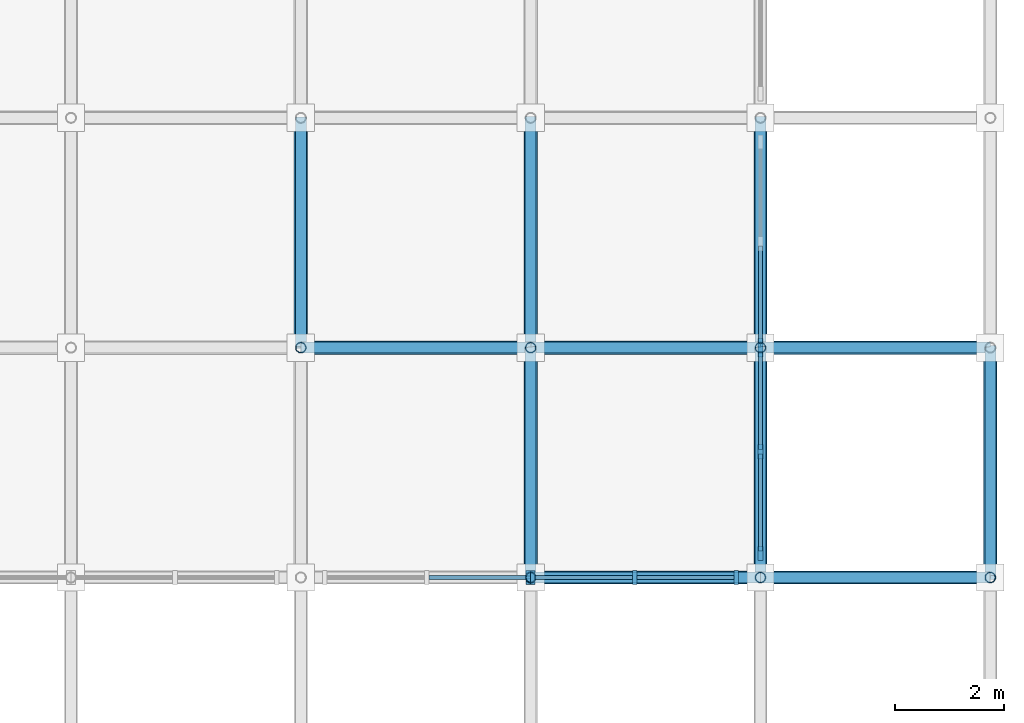
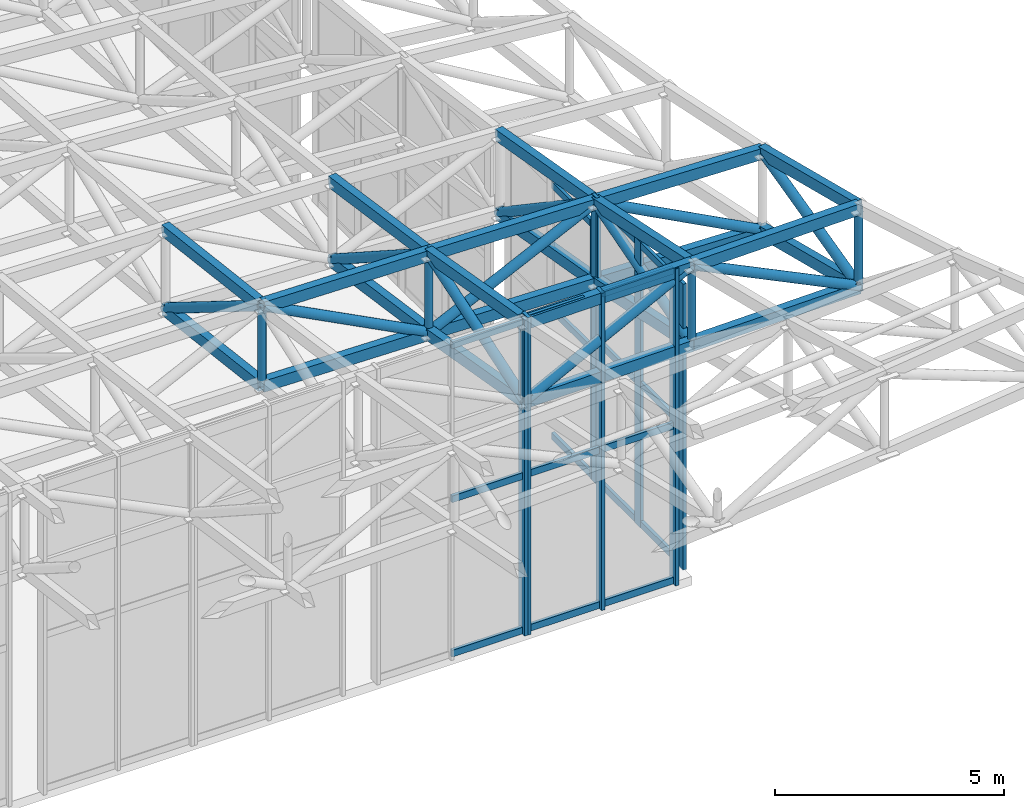
# One storey, part 35 of 123: 65 members, 4 elements without a shape of their own.
"""IFC4 building model written with IfcOpenShell, lengths in metres."""

from ifc_helpers import new_model, si_unit, direction, frame, origin, origin_2d, place, context, subcontext, project, spatial, rectangle, hollow_rectangle, hollow_circle, extrude, material, material_profile, profile_set, type_object, element, aggregate, save


model = new_model("IFC4")

# Units and contexts
model_context = context("Model", 3, precision=1e-05, world=origin(), true_north=direction((0.0, 1.0)))
body_context = subcontext(model_context, "Body", "Model", "MODEL_VIEW")
ifc_project = project(units=[si_unit("LENGTHUNIT", "METRE"), si_unit("AREAUNIT", "SQUARE_METRE"), si_unit("VOLUMEUNIT", "CUBIC_METRE"), si_unit("PLANEANGLEUNIT", "RADIAN"), si_unit("MASSUNIT", "GRAM", prefix="KILO")], contexts=[model_context])

# Site, building, storey
site_placement = place(None, origin())
site = spatial("IfcSite", under=ifc_project, at=site_placement, CompositionType="ELEMENT")
building_placement = place(site_placement, origin())
building = spatial("IfcBuilding", under=site, at=building_placement, Name="Cumbredor Promenade Congress Hotel", CompositionType="ELEMENT")
storey_placement = place(building_placement, frame((0.0, 0.0, 11.760009765625)))
storey = spatial("IfcBuildingStorey", under=building, at=storey_placement, Name="L03", CompositionType="ELEMENT", Elevation=11.760009765625)

# Members
ifc_material_1 = material(Name="Steel ASTM A500 Grade C", Category="steel")
ifc_material_profile_1 = material_profile(ifc_material_1, hollow_rectangle(XDim=0.199951171875, YDim=0.300048828125, WallThickness=0.012451171875, at=origin_2d()), Name="HSS 300x200x12.5")
ifc_profile_set_1 = profile_set([ifc_material_profile_1], Name="Steel ASTM A500 Grade C")
member_type_1 = type_object("IfcMemberType", Name="Ballroom Roof Space Frame Chord", PredefinedType="CHORD", material=ifc_profile_set_1)
for number, where, z_axis, x_axis, name in (
    (1, (180.60009765625, 8.39990234375, 8.253173828125), (0.999934438125, 0.0, 0.011450740238), (0.0, 1.0, 0.0), "Grand Ballroom Pavilion X Top Chord 11.3"),
    (2, (180.60009765625, 8.39990234375, 6.153076171875), (0.999934438125, 0.0, 0.011450740238), (0.0, 1.0, 0.0), "Grand Ballroom Pavilion X Bottom Chord 11.3"),
):
    element("IfcMember", number, at=place(storey_placement, frame(where, z_axis=z_axis, x_axis=x_axis)), inside=storey, type_object=member_type_1, Name=name, PredefinedType="CHORD", context=body_context, shape_type="SweptSolid", body=[
        extrude(hollow_rectangle(XDim=0.199951171875, YDim=0.300048828125, WallThickness=0.012451171875, at=origin_2d()), origin(), (0.0, 0.0, 1.0), 4.2001953125),
    ])
for number, where, z_axis, x_axis, name in (
    (3, (184.800048828125, 8.39990234375, 8.30126953125), (0.99988929444, 0.0, 0.014879477962), (0.0, 1.0, 0.0), "Grand Ballroom Pavilion X Top Chord 12.3"),
    (4, (184.800048828125, 8.39990234375, 6.201171875), (0.999888428009, 0.0, 0.014937587979), (0.0, 1.0, 0.0), "Grand Ballroom Pavilion X Bottom Chord 12.3"),
):
    element("IfcMember", number, at=place(storey_placement, frame(where, z_axis=z_axis, x_axis=x_axis)), inside=storey, type_object=member_type_1, Name=name, PredefinedType="CHORD", context=body_context, shape_type="SweptSolid", body=[
        extrude(hollow_rectangle(XDim=0.199951171875, YDim=0.300048828125, WallThickness=0.012451171875, at=origin_2d()), origin(), (0.0, 0.0, 1.0), 4.200439453125),
    ])
for number, where, z_axis, x_axis, name in (
    (5, (176.39990234375, 12.60009765625, 7.602294921875), (0.999827058819, 0.0, -0.018597108743), (0.0, 1.0, 0.0), "Grand Ballroom Pavilion X Top Chord 10.4"),
    (6, (176.39990234375, 12.60009765625, 5.502197265625), (0.999828137734, 0.0, -0.018539012784), (0.0, 1.0, 0.0), "Grand Ballroom Pavilion X Bottom Chord 10.4"),
):
    element("IfcMember", number, at=place(storey_placement, frame(where, z_axis=z_axis, x_axis=x_axis)), inside=storey, type_object=member_type_1, Name=name, PredefinedType="CHORD", context=body_context, shape_type="SweptSolid", body=[
        extrude(hollow_rectangle(XDim=0.199951171875, YDim=0.300048828125, WallThickness=0.012451171875, at=origin_2d()), origin(), (0.0, 0.0, 1.0), 4.200927734375),
    ])
for number, where, z_axis, x_axis, name in (
    (7, (180.60009765625, 12.60009765625, 7.524169921875), (0.999713338557, 0.0, -0.023942445823), (0.0, 1.0, 0.0), "Grand Ballroom Pavilion X Top Chord 11.4"),
    (8, (180.60009765625, 12.60009765625, 5.42431640625), (0.999711945909, 0.0, -0.024000525121), (0.0, 1.0, 0.0), "Grand Ballroom Pavilion X Bottom Chord 11.4"),
):
    element("IfcMember", number, at=place(storey_placement, frame(where, z_axis=z_axis, x_axis=x_axis)), inside=storey, type_object=member_type_1, Name=name, PredefinedType="CHORD", context=body_context, shape_type="SweptSolid", body=[
        extrude(hollow_rectangle(XDim=0.199951171875, YDim=0.300048828125, WallThickness=0.012451171875, at=origin_2d()), origin(), (0.0, 0.0, 1.0), 4.201171875),
    ])
for number, where, z_axis, x_axis, name in (
    (9, (184.800048828125, 12.60009765625, 7.423583984375), (0.999592939117, 0.0, -0.028529915312), (0.0, 1.0, 0.0), "Grand Ballroom Pavilion X Top Chord 12.4"),
    (10, (184.800048828125, 12.60009765625, 5.323486328125), (0.999592939117, 0.0, -0.028529915312), (0.0, 1.0, 0.0), "Grand Ballroom Pavilion X Bottom Chord 12.4"),
):
    element("IfcMember", number, at=place(storey_placement, frame(where, z_axis=z_axis, x_axis=x_axis)), inside=storey, type_object=member_type_1, Name=name, PredefinedType="CHORD", context=body_context, shape_type="SweptSolid", body=[
        extrude(hollow_rectangle(XDim=0.199951171875, YDim=0.300048828125, WallThickness=0.012451171875, at=origin_2d()), origin(), (0.0, 0.0, 1.0), 4.20166015625),
    ])
for number, where, z_axis, x_axis, name in (
    (11, (176.39990234375, 12.60009765625, 7.602294921875), (0.0, 0.992680000349, -0.120774239419), (-1.0, 0.0, 0.0), "Grand Ballroom Pavilion Y Top Chord 10.4"),
    (12, (176.39990234375, 12.60009765625, 5.502197265625), (0.0, 0.992680000349, -0.120774239419), (-1.0, 0.0, 0.0), "Grand Ballroom Pavilion Y Bottom Chord 10.4"),
):
    element("IfcMember", number, at=place(storey_placement, frame(where, z_axis=z_axis, x_axis=x_axis)), inside=storey, type_object=member_type_1, Name=name, PredefinedType="CHORD", context=body_context, shape_type="SweptSolid", body=[
        extrude(hollow_rectangle(XDim=0.199951171875, YDim=0.300048828125, WallThickness=0.012451171875, at=origin_2d()), origin(), (0.0, 0.0, 1.0), 4.23095703125),
    ])
for number, where, z_axis, x_axis, name in (
    (13, (180.60009765625, 8.39990234375, 8.253173828125), (0.0, 0.985269703743, -0.171007634002), (-1.0, 0.0, 0.0), "Grand Ballroom Pavilion Y Top Chord 11.3"),
    (14, (180.60009765625, 8.39990234375, 6.153076171875), (0.0, 0.98527935158, -0.170952038158), (-1.0, 0.0, 0.0), "Grand Ballroom Pavilion Y Bottom Chord 11.3"),
):
    element("IfcMember", number, at=place(storey_placement, frame(where, z_axis=z_axis, x_axis=x_axis)), inside=storey, type_object=member_type_1, Name=name, PredefinedType="CHORD", context=body_context, shape_type="SweptSolid", body=[
        extrude(hollow_rectangle(XDim=0.199951171875, YDim=0.300048828125, WallThickness=0.012451171875, at=origin_2d()), origin(), (0.0, 0.0, 1.0), 4.262939453125),
    ])
for number, where, z_axis, x_axis, name in (
    (15, (180.60009765625, 12.60009765625, 7.524169921875), (0.0, 0.98970292578, -0.143136713326), (-1.0, 0.0, 0.0), "Grand Ballroom Pavilion Y Top Chord 11.4"),
    (16, (180.60009765625, 12.60009765625, 5.42431640625), (0.0, 0.989694774263, -0.143193064764), (-1.0, 0.0, 0.0), "Grand Ballroom Pavilion Y Bottom Chord 11.4"),
):
    element("IfcMember", number, at=place(storey_placement, frame(where, z_axis=z_axis, x_axis=x_axis)), inside=storey, type_object=member_type_1, Name=name, PredefinedType="CHORD", context=body_context, shape_type="SweptSolid", body=[
        extrude(hollow_rectangle(XDim=0.199951171875, YDim=0.300048828125, WallThickness=0.012451171875, at=origin_2d()), origin(), (0.0, 0.0, 1.0), 4.24365234375),
    ])
for number, where, z_axis, x_axis, name in (
    (17, (184.800048828125, 8.39990234375, 8.30126953125), (0.0, 0.978857169639, -0.204544961919), (-1.0, 0.0, 0.0), "Grand Ballroom Pavilion Y Top Chord 12.3"),
    (18, (184.800048828125, 8.39990234375, 6.201171875), (0.0, 0.978857169639, -0.204544961919), (-1.0, 0.0, 0.0), "Grand Ballroom Pavilion Y Bottom Chord 12.3"),
):
    element("IfcMember", number, at=place(storey_placement, frame(where, z_axis=z_axis, x_axis=x_axis)), inside=storey, type_object=member_type_1, Name=name, PredefinedType="CHORD", context=body_context, shape_type="SweptSolid", body=[
        extrude(hollow_rectangle(XDim=0.199951171875, YDim=0.300048828125, WallThickness=0.012451171875, at=origin_2d()), origin(), (0.0, 0.0, 1.0), 4.291015625),
    ])
for number, where, z_axis, x_axis, name in (
    (19, (184.800048828125, 12.60009765625, 7.423583984375), (0.0, 0.985161696288, -0.171628762645), (-1.0, 0.0, 0.0), "Grand Ballroom Pavilion Y Top Chord 12.4"),
    (20, (184.800048828125, 12.60009765625, 5.323486328125), (0.0, 0.985171377614, -0.171573181848), (-1.0, 0.0, 0.0), "Grand Ballroom Pavilion Y Bottom Chord 12.4"),
):
    element("IfcMember", number, at=place(storey_placement, frame(where, z_axis=z_axis, x_axis=x_axis)), inside=storey, type_object=member_type_1, Name=name, PredefinedType="CHORD", context=body_context, shape_type="SweptSolid", body=[
        extrude(hollow_rectangle(XDim=0.199951171875, YDim=0.300048828125, WallThickness=0.012451171875, at=origin_2d()), origin(), (0.0, 0.0, 1.0), 4.26318359375),
    ])
member_1_placement = place(storey_placement, frame((189.0, 8.39990234375, 8.36376953125), z_axis=(0.0, 0.969596366096, -0.244709801301), x_axis=(-1.0, 0.0, 0.0)))
element("IfcMember", 21, at=member_1_placement, inside=storey, type_object=member_type_1, Name="Grand Ballroom Pavilion Y Top Chord 13.3", PredefinedType="CHORD", context=body_context, shape_type="SweptSolid", body=[
    extrude(hollow_rectangle(XDim=0.199951171875, YDim=0.300048828125, WallThickness=0.012451171875, at=origin_2d()), origin(), (0.0, 0.0, 1.0), 4.331787109375),
])
member_2_placement = place(storey_placement, frame((189.0, 8.39990234375, 6.263916015625), z_axis=(0.0, 0.969582992601, -0.244762784054), x_axis=(-1.0, 0.0, 0.0)))
element("IfcMember", 22, at=member_2_placement, inside=storey, type_object=member_type_1, Name="Grand Ballroom Pavilion Y Bottom Chord 13.3", PredefinedType="CHORD", context=body_context, shape_type="SweptSolid", body=[
    extrude(hollow_rectangle(XDim=0.199951171875, YDim=0.300048828125, WallThickness=0.012451171875, at=origin_2d()), origin(), (0.0, 0.0, 1.0), 4.33203125),
])

# Curtain wall, member
ifc_material_2 = material(Name="Thermally broken anodized aluminium and low-E glass", Category="aluminium")
curtain_wall_type = type_object("IfcCurtainWallType", Name="Stepped Pavilion Clerestory Curtain Wall CW-06", PredefinedType="NOTDEFINED", material=ifc_material_2)
curtain_wall_1_placement = place(storey_placement, origin())
curtain_wall_1 = element("IfcCurtainWall", 23, at=curtain_wall_1_placement, inside=storey, type_object=curtain_wall_type, Name="Grand Ballroom Pavilion S Glazed Clerestory 9", PredefinedType="NOTDEFINED")
ifc_material_3 = material(Name="Thermally broken anodized aluminium", Category="aluminium")
ifc_material_profile_2 = material_profile(ifc_material_3, rectangle(XDim=0.0849609375, YDim=0.260009765625, at=origin_2d()), Name="ALU MULLION CLERESTORY 85x260")
ifc_profile_set_2 = profile_set([ifc_material_profile_2], Name="Thermally broken anodized aluminium")
member_type_2 = type_object("IfcMemberType", Name="Curtain Wall Mullion ML-04", PredefinedType="MULLION", material=ifc_profile_set_2)
member_3_placement = place(storey_placement, frame((180.56005859375, 8.39990234375, -0.01806640625), z_axis=(0.0, 0.0, 1.0), x_axis=(1.0, 0.0, 0.0)))
member_3 = element("IfcMember", 24, at=member_3_placement, type_object=member_type_2, Name="Grand Ballroom Pavilion S Glazed Clerestory 9 Mullion 3", PredefinedType="MULLION", context=body_context, shape_type="SweptSolid", body=[
    extrude(rectangle(XDim=0.0849609375, YDim=0.260009765625, at=origin_2d()), origin(), (0.0, 0.0, 1.0), 8.40966796875),
])

# Curtain wall, members
curtain_wall_2_placement = place(storey_placement, origin())
curtain_wall_2 = element("IfcCurtainWall", 25, at=curtain_wall_2_placement, inside=storey, type_object=curtain_wall_type, Name="Grand Ballroom Pavilion S Glazed Clerestory 10", PredefinedType="NOTDEFINED")
member_4_placement = place(storey_placement, frame((180.639892578125, 8.39990234375, -0.01806640625), z_axis=(0.0, 0.0, 1.0), x_axis=(1.0, 0.0, 0.0)))
member_4 = element("IfcMember", 26, at=member_4_placement, type_object=member_type_2, Name="Grand Ballroom Pavilion S Glazed Clerestory 10 Mullion 1", PredefinedType="MULLION", context=body_context, shape_type="SweptSolid", body=[
    extrude(rectangle(XDim=0.0849609375, YDim=0.260009765625, at=origin_2d()), origin(), (0.0, 0.0, 1.0), 8.447265625),
])
member_5_placement = place(storey_placement, frame((182.5, 8.39990234375, -0.01806640625), z_axis=(0.0, 0.0, 1.0), x_axis=(1.0, 0.0, 0.0)))
member_5 = element("IfcMember", 27, at=member_5_placement, type_object=member_type_2, Name="Grand Ballroom Pavilion S Glazed Clerestory 10 Mullion 2", PredefinedType="MULLION", context=body_context, shape_type="SweptSolid", body=[
    extrude(rectangle(XDim=0.0849609375, YDim=0.260009765625, at=origin_2d()), origin(), (0.0, 0.0, 1.0), 8.447265625),
])
member_6_placement = place(storey_placement, frame((184.360107421875, 8.39990234375, -0.01806640625), z_axis=(0.0, 0.0, 1.0), x_axis=(1.0, 0.0, 0.0)))
member_6 = element("IfcMember", 28, at=member_6_placement, type_object=member_type_2, Name="Grand Ballroom Pavilion S Glazed Clerestory 10 Mullion 3", PredefinedType="MULLION", context=body_context, shape_type="SweptSolid", body=[
    extrude(rectangle(XDim=0.0849609375, YDim=0.260009765625, at=origin_2d()), origin(), (0.0, 0.0, 1.0), 8.447265625),
])

curtain_wall_3_placement = place(storey_placement, origin())
curtain_wall_3 = element("IfcCurtainWall", 29, at=curtain_wall_3_placement, inside=storey, type_object=curtain_wall_type, Name="Grand Ballroom Pavilion E Glazed Clerestory 1", PredefinedType="NOTDEFINED")
member_7_placement = place(storey_placement, frame((184.800048828125, 8.840087890625, -0.01806640625), z_axis=(0.0, 0.0, 1.0), x_axis=(1.0, 0.0, 0.0)))
member_7 = element("IfcMember", 30, at=member_7_placement, type_object=member_type_2, Name="Grand Ballroom Pavilion E Glazed Clerestory 1 Mullion 1", PredefinedType="MULLION", context=body_context, shape_type="SweptSolid", body=[
    extrude(rectangle(XDim=0.0849609375, YDim=0.260009765625, at=origin_2d()), origin(), (0.0, 0.0, 1.0), 7.61767578125),
])
member_8_placement = place(storey_placement, frame((184.800048828125, 10.699951171875, -0.01806640625), z_axis=(0.0, 0.0, 1.0), x_axis=(1.0, 0.0, 0.0)))
member_8 = element("IfcMember", 31, at=member_8_placement, type_object=member_type_2, Name="Grand Ballroom Pavilion E Glazed Clerestory 1 Mullion 2", PredefinedType="MULLION", context=body_context, shape_type="SweptSolid", body=[
    extrude(rectangle(XDim=0.0849609375, YDim=0.260009765625, at=origin_2d()), origin(), (0.0, 0.0, 1.0), 7.61767578125),
])
member_9_placement = place(storey_placement, frame((184.800048828125, 12.56005859375, -0.01806640625), z_axis=(0.0, 0.0, 1.0), x_axis=(1.0, 0.0, 0.0)))
member_9 = element("IfcMember", 32, at=member_9_placement, type_object=member_type_2, Name="Grand Ballroom Pavilion E Glazed Clerestory 1 Mullion 3", PredefinedType="MULLION", context=body_context, shape_type="SweptSolid", body=[
    extrude(rectangle(XDim=0.0849609375, YDim=0.260009765625, at=origin_2d()), origin(), (0.0, 0.0, 1.0), 7.61767578125),
])

# Curtain wall, member
curtain_wall_4_placement = place(storey_placement, origin())
curtain_wall_4 = element("IfcCurtainWall", 33, at=curtain_wall_4_placement, inside=storey, type_object=curtain_wall_type, Name="Grand Ballroom Pavilion E Glazed Clerestory 2", PredefinedType="NOTDEFINED")
member_10_placement = place(storey_placement, frame((184.800048828125, 12.639892578125, -0.01806640625), z_axis=(0.0, 0.0, 1.0), x_axis=(1.0, 0.0, 0.0)))
member_10 = element("IfcMember", 34, at=member_10_placement, type_object=member_type_2, Name="Grand Ballroom Pavilion E Glazed Clerestory 2 Mullion 1", PredefinedType="MULLION", context=body_context, shape_type="SweptSolid", body=[
    extrude(rectangle(XDim=0.0849609375, YDim=0.260009765625, at=origin_2d()), origin(), (0.0, 0.0, 1.0), 6.885986328125),
])

# Member
ifc_material_profile_3 = material_profile(ifc_material_3, rectangle(XDim=0.080078125, YDim=0.179931640625, at=origin_2d()), Name="ALU TRANSOM 80x180")
ifc_profile_set_3 = profile_set([ifc_material_profile_3], Name="Thermally broken anodized aluminium")
member_type_3 = type_object("IfcMemberType", Name="Curtain Wall Transom TR-03", PredefinedType="USERDEFINED", material=ifc_profile_set_3)
member_11_placement = place(storey_placement, frame((178.742431640625, 8.39990234375, 0.080078125), z_axis=(1.0, 0.0, 0.0), x_axis=(0.0, 1.0, 0.0)))
member_11 = element("IfcMember", 35, at=member_11_placement, type_object=member_type_3, Name="Grand Ballroom Pavilion S Glazed Clerestory 9 Transom 2.1", ObjectType="TRANSOM", PredefinedType="USERDEFINED", context=body_context, shape_type="SweptSolid", body=[
    extrude(rectangle(XDim=0.080078125, YDim=0.179931640625, at=origin_2d()), origin(), (0.0, 0.0, 1.0), 1.775146484375),
])

member_12_placement = place(storey_placement, frame((178.742431640625, 8.39990234375, 4.18994140625), z_axis=(1.0, 0.0, 0.0), x_axis=(0.0, 1.0, 0.0)))
member_12 = element("IfcMember", 36, at=member_12_placement, type_object=member_type_3, Name="Grand Ballroom Pavilion S Glazed Clerestory 9 Transom 2.2", ObjectType="TRANSOM", PredefinedType="USERDEFINED", context=body_context, shape_type="SweptSolid", body=[
    extrude(rectangle(XDim=0.080078125, YDim=0.179931640625, at=origin_2d()), origin(), (0.0, 0.0, 1.0), 1.775146484375),
])

member_13_placement = place(storey_placement, frame((178.742431640625, 8.39990234375, 8.2900390625), z_axis=(1.0, 0.0, 0.0), x_axis=(0.0, 1.0, 0.0)))
member_13 = element("IfcMember", 37, at=member_13_placement, type_object=member_type_3, Name="Grand Ballroom Pavilion S Glazed Clerestory 9 Transom 2.3", ObjectType="TRANSOM", PredefinedType="USERDEFINED", context=body_context, shape_type="SweptSolid", body=[
    extrude(rectangle(XDim=0.080078125, YDim=0.179931640625, at=origin_2d()), origin(), (0.0, 0.0, 1.0), 1.775146484375),
])

aggregate(curtain_wall_1, [member_3, member_11, member_12, member_13])

member_14_placement = place(storey_placement, frame((180.6826171875, 8.39990234375, 0.080078125), z_axis=(1.0, 0.0, 0.0), x_axis=(0.0, 1.0, 0.0)))
member_14 = element("IfcMember", 38, at=member_14_placement, type_object=member_type_3, Name="Grand Ballroom Pavilion S Glazed Clerestory 10 Transom 1.1", ObjectType="TRANSOM", PredefinedType="USERDEFINED", context=body_context, shape_type="SweptSolid", body=[
    extrude(rectangle(XDim=0.080078125, YDim=0.179931640625, at=origin_2d()), origin(), (0.0, 0.0, 1.0), 1.77490234375),
])

member_15_placement = place(storey_placement, frame((180.6826171875, 8.39990234375, 4.199951171875), z_axis=(1.0, 0.0, 0.0), x_axis=(0.0, 1.0, 0.0)))
member_15 = element("IfcMember", 39, at=member_15_placement, type_object=member_type_3, Name="Grand Ballroom Pavilion S Glazed Clerestory 10 Transom 1.2", ObjectType="TRANSOM", PredefinedType="USERDEFINED", context=body_context, shape_type="SweptSolid", body=[
    extrude(rectangle(XDim=0.080078125, YDim=0.179931640625, at=origin_2d()), origin(), (0.0, 0.0, 1.0), 1.77490234375),
])

member_16_placement = place(storey_placement, frame((180.6826171875, 8.39990234375, 8.330078125), z_axis=(1.0, 0.0, 0.0), x_axis=(0.0, 1.0, 0.0)))
member_16 = element("IfcMember", 40, at=member_16_placement, type_object=member_type_3, Name="Grand Ballroom Pavilion S Glazed Clerestory 10 Transom 1.3", ObjectType="TRANSOM", PredefinedType="USERDEFINED", context=body_context, shape_type="SweptSolid", body=[
    extrude(rectangle(XDim=0.080078125, YDim=0.179931640625, at=origin_2d()), origin(), (0.0, 0.0, 1.0), 1.77490234375),
])

member_17_placement = place(storey_placement, frame((182.54248046875, 8.39990234375, 0.080078125), z_axis=(1.0, 0.0, 0.0), x_axis=(0.0, 1.0, 0.0)))
member_17 = element("IfcMember", 41, at=member_17_placement, type_object=member_type_3, Name="Grand Ballroom Pavilion S Glazed Clerestory 10 Transom 2.1", ObjectType="TRANSOM", PredefinedType="USERDEFINED", context=body_context, shape_type="SweptSolid", body=[
    extrude(rectangle(XDim=0.080078125, YDim=0.179931640625, at=origin_2d()), origin(), (0.0, 0.0, 1.0), 1.77490234375),
])

member_18_placement = place(storey_placement, frame((182.54248046875, 8.39990234375, 4.199951171875), z_axis=(1.0, 0.0, 0.0), x_axis=(0.0, 1.0, 0.0)))
member_18 = element("IfcMember", 42, at=member_18_placement, type_object=member_type_3, Name="Grand Ballroom Pavilion S Glazed Clerestory 10 Transom 2.2", ObjectType="TRANSOM", PredefinedType="USERDEFINED", context=body_context, shape_type="SweptSolid", body=[
    extrude(rectangle(XDim=0.080078125, YDim=0.179931640625, at=origin_2d()), origin(), (0.0, 0.0, 1.0), 1.77490234375),
])

member_19_placement = place(storey_placement, frame((182.54248046875, 8.39990234375, 8.330078125), z_axis=(1.0, 0.0, 0.0), x_axis=(0.0, 1.0, 0.0)))
member_19 = element("IfcMember", 43, at=member_19_placement, type_object=member_type_3, Name="Grand Ballroom Pavilion S Glazed Clerestory 10 Transom 2.3", ObjectType="TRANSOM", PredefinedType="USERDEFINED", context=body_context, shape_type="SweptSolid", body=[
    extrude(rectangle(XDim=0.080078125, YDim=0.179931640625, at=origin_2d()), origin(), (0.0, 0.0, 1.0), 1.77490234375),
])

aggregate(curtain_wall_2, [member_4, member_5, member_6, member_14, member_15, member_16, member_17, member_18, member_19])

member_20_placement = place(storey_placement, frame((184.800048828125, 8.882568359375, 0.080078125), z_axis=(0.0, 1.0, 0.0), x_axis=(-1.0, 0.0, 0.0)))
member_20 = element("IfcMember", 44, at=member_20_placement, type_object=member_type_3, Name="Grand Ballroom Pavilion E Glazed Clerestory 1 Transom 1.1", ObjectType="TRANSOM", PredefinedType="USERDEFINED", context=body_context, shape_type="SweptSolid", body=[
    extrude(rectangle(XDim=0.080078125, YDim=0.179931640625, at=origin_2d()), origin(), (0.0, 0.0, 1.0), 1.77490234375),
])

member_21_placement = place(storey_placement, frame((184.800048828125, 8.882568359375, 3.7900390625), z_axis=(0.0, 1.0, 0.0), x_axis=(-1.0, 0.0, 0.0)))
member_21 = element("IfcMember", 45, at=member_21_placement, type_object=member_type_3, Name="Grand Ballroom Pavilion E Glazed Clerestory 1 Transom 1.2", ObjectType="TRANSOM", PredefinedType="USERDEFINED", context=body_context, shape_type="SweptSolid", body=[
    extrude(rectangle(XDim=0.080078125, YDim=0.179931640625, at=origin_2d()), origin(), (0.0, 0.0, 1.0), 1.77490234375),
])

member_22_placement = place(storey_placement, frame((184.800048828125, 8.882568359375, 7.5), z_axis=(0.0, 1.0, 0.0), x_axis=(-1.0, 0.0, 0.0)))
member_22 = element("IfcMember", 46, at=member_22_placement, type_object=member_type_3, Name="Grand Ballroom Pavilion E Glazed Clerestory 1 Transom 1.3", ObjectType="TRANSOM", PredefinedType="USERDEFINED", context=body_context, shape_type="SweptSolid", body=[
    extrude(rectangle(XDim=0.080078125, YDim=0.179931640625, at=origin_2d()), origin(), (0.0, 0.0, 1.0), 1.77490234375),
])

member_23_placement = place(storey_placement, frame((184.800048828125, 10.742431640625, 0.080078125), z_axis=(0.0, 1.0, 0.0), x_axis=(-1.0, 0.0, 0.0)))
member_23 = element("IfcMember", 47, at=member_23_placement, type_object=member_type_3, Name="Grand Ballroom Pavilion E Glazed Clerestory 1 Transom 2.1", ObjectType="TRANSOM", PredefinedType="USERDEFINED", context=body_context, shape_type="SweptSolid", body=[
    extrude(rectangle(XDim=0.080078125, YDim=0.179931640625, at=origin_2d()), origin(), (0.0, 0.0, 1.0), 1.775146484375),
])

member_24_placement = place(storey_placement, frame((184.800048828125, 10.742431640625, 3.7900390625), z_axis=(0.0, 1.0, 0.0), x_axis=(-1.0, 0.0, 0.0)))
member_24 = element("IfcMember", 48, at=member_24_placement, type_object=member_type_3, Name="Grand Ballroom Pavilion E Glazed Clerestory 1 Transom 2.2", ObjectType="TRANSOM", PredefinedType="USERDEFINED", context=body_context, shape_type="SweptSolid", body=[
    extrude(rectangle(XDim=0.080078125, YDim=0.179931640625, at=origin_2d()), origin(), (0.0, 0.0, 1.0), 1.775146484375),
])

member_25_placement = place(storey_placement, frame((184.800048828125, 10.742431640625, 7.5), z_axis=(0.0, 1.0, 0.0), x_axis=(-1.0, 0.0, 0.0)))
member_25 = element("IfcMember", 49, at=member_25_placement, type_object=member_type_3, Name="Grand Ballroom Pavilion E Glazed Clerestory 1 Transom 2.3", ObjectType="TRANSOM", PredefinedType="USERDEFINED", context=body_context, shape_type="SweptSolid", body=[
    extrude(rectangle(XDim=0.080078125, YDim=0.179931640625, at=origin_2d()), origin(), (0.0, 0.0, 1.0), 1.775146484375),
])

aggregate(curtain_wall_3, [member_7, member_8, member_9, member_20, member_21, member_22, member_23, member_24, member_25])

member_26_placement = place(storey_placement, frame((184.800048828125, 12.6826171875, 0.080078125), z_axis=(0.0, 1.0, 0.0), x_axis=(-1.0, 0.0, 0.0)))
member_26 = element("IfcMember", 50, at=member_26_placement, type_object=member_type_3, Name="Grand Ballroom Pavilion E Glazed Clerestory 2 Transom 1.1", ObjectType="TRANSOM", PredefinedType="USERDEFINED", context=body_context, shape_type="SweptSolid", body=[
    extrude(rectangle(XDim=0.080078125, YDim=0.179931640625, at=origin_2d()), origin(), (0.0, 0.0, 1.0), 1.77490234375),
])

member_27_placement = place(storey_placement, frame((184.800048828125, 12.6826171875, 3.429931640625), z_axis=(0.0, 1.0, 0.0), x_axis=(-1.0, 0.0, 0.0)))
member_27 = element("IfcMember", 51, at=member_27_placement, type_object=member_type_3, Name="Grand Ballroom Pavilion E Glazed Clerestory 2 Transom 1.2", ObjectType="TRANSOM", PredefinedType="USERDEFINED", context=body_context, shape_type="SweptSolid", body=[
    extrude(rectangle(XDim=0.080078125, YDim=0.179931640625, at=origin_2d()), origin(), (0.0, 0.0, 1.0), 1.77490234375),
])

member_28_placement = place(storey_placement, frame((184.800048828125, 12.6826171875, 6.77001953125), z_axis=(0.0, 1.0, 0.0), x_axis=(-1.0, 0.0, 0.0)))
member_28 = element("IfcMember", 52, at=member_28_placement, type_object=member_type_3, Name="Grand Ballroom Pavilion E Glazed Clerestory 2 Transom 1.3", ObjectType="TRANSOM", PredefinedType="USERDEFINED", context=body_context, shape_type="SweptSolid", body=[
    extrude(rectangle(XDim=0.080078125, YDim=0.179931640625, at=origin_2d()), origin(), (0.0, 0.0, 1.0), 1.77490234375),
])

aggregate(curtain_wall_4, [member_10, member_26, member_27, member_28])

# Members
ifc_material_profile_4 = material_profile(ifc_material_1, hollow_circle(Radius=0.122314453125, WallThickness=0.012451171875, at=origin_2d()), Name="CHS 244.5x12.5")
ifc_profile_set_4 = profile_set([ifc_material_profile_4], Name="Steel ASTM A500 Grade C")
member_type_4 = type_object("IfcMemberType", Name="Space Frame Web Diagonal D2", PredefinedType="BRACE", material=ifc_profile_set_4)
member_29_placement = place(storey_placement, frame((180.60009765625, 8.39990234375, 6.153076171875), z_axis=(0.890301351474, 0.0, 0.455371830007), x_axis=(0.0, 1.0, 0.0)))
element("IfcMember", 53, at=member_29_placement, inside=storey, type_object=member_type_4, Name="Grand Ballroom Pavilion X Web Diagonal 11.3", PredefinedType="BRACE", context=body_context, shape_type="SweptSolid", body=[
    extrude(hollow_circle(Radius=0.122314453125, WallThickness=0.012451171875, at=origin_2d()), origin(), (0.0, 0.0, 1.0), 4.717529296875),
])
member_30_placement = place(storey_placement, frame((184.800048828125, 8.39990234375, 8.30126953125), z_axis=(0.8997288535, 0.0, -0.436449298521), x_axis=(0.0, 1.0, 0.0)))
element("IfcMember", 54, at=member_30_placement, inside=storey, type_object=member_type_4, Name="Grand Ballroom Pavilion X Web Diagonal 12.3", PredefinedType="BRACE", context=body_context, shape_type="SweptSolid", body=[
    extrude(hollow_circle(Radius=0.122314453125, WallThickness=0.012451171875, at=origin_2d()), origin(), (0.0, 0.0, 1.0), 4.66796875),
])
member_31_placement = place(storey_placement, frame((176.39990234375, 12.60009765625, 7.602294921875), z_axis=(0.887745940403, 0.0, -0.460333732523), x_axis=(0.0, 1.0, 0.0)))
element("IfcMember", 55, at=member_31_placement, inside=storey, type_object=member_type_4, Name="Grand Ballroom Pavilion X Web Diagonal 10.4", PredefinedType="BRACE", context=body_context, shape_type="SweptSolid", body=[
    extrude(hollow_circle(Radius=0.122314453125, WallThickness=0.012451171875, at=origin_2d()), origin(), (0.0, 0.0, 1.0), 4.731201171875),
])
member_32_placement = place(storey_placement, frame((180.60009765625, 12.60009765625, 5.42431640625), z_axis=(0.902919690617, 0.0, 0.429809297591), x_axis=(0.0, 1.0, 0.0)))
element("IfcMember", 56, at=member_32_placement, inside=storey, type_object=member_type_4, Name="Grand Ballroom Pavilion X Web Diagonal 11.4", PredefinedType="BRACE", context=body_context, shape_type="SweptSolid", body=[
    extrude(hollow_circle(Radius=0.122314453125, WallThickness=0.012451171875, at=origin_2d()), origin(), (0.0, 0.0, 1.0), 4.651611328125),
])
member_33_placement = place(storey_placement, frame((184.800048828125, 12.60009765625, 7.423583984375), z_axis=(0.884095243613, 0.0, -0.467306751739), x_axis=(0.0, 1.0, 0.0)))
element("IfcMember", 57, at=member_33_placement, inside=storey, type_object=member_type_4, Name="Grand Ballroom Pavilion X Web Diagonal 12.4", PredefinedType="BRACE", context=body_context, shape_type="SweptSolid", body=[
    extrude(hollow_circle(Radius=0.122314453125, WallThickness=0.012451171875, at=origin_2d()), origin(), (0.0, 0.0, 1.0), 4.75048828125),
])
member_34_placement = place(storey_placement, frame((176.39990234375, 12.60009765625, 7.602294921875), z_axis=(0.0, 0.849257805631, -0.527978389306), x_axis=(-1.0, 0.0, 0.0)))
element("IfcMember", 58, at=member_34_placement, inside=storey, type_object=member_type_4, Name="Grand Ballroom Pavilion Y Web Diagonal 10.4", PredefinedType="BRACE", context=body_context, shape_type="SweptSolid", body=[
    extrude(hollow_circle(Radius=0.122314453125, WallThickness=0.012451171875, at=origin_2d()), origin(), (0.0, 0.0, 1.0), 4.945556640625),
])
member_35_placement = place(storey_placement, frame((180.60009765625, 8.39990234375, 6.153076171875), z_axis=(0.0, 0.95063207259, 0.31032025806), x_axis=(-1.0, 0.0, 0.0)))
element("IfcMember", 59, at=member_35_placement, inside=storey, type_object=member_type_4, Name="Grand Ballroom Pavilion Y Web Diagonal 11.3", PredefinedType="BRACE", context=body_context, shape_type="SweptSolid", body=[
    extrude(hollow_circle(Radius=0.122314453125, WallThickness=0.012451171875, at=origin_2d()), origin(), (0.0, 0.0, 1.0), 4.418212890625),
])
member_36_placement = place(storey_placement, frame((180.60009765625, 12.60009765625, 7.524169921875), z_axis=(0.0, 0.8404904438, -0.541826368758), x_axis=(-1.0, 0.0, 0.0)))
element("IfcMember", 60, at=member_36_placement, inside=storey, type_object=member_type_4, Name="Grand Ballroom Pavilion Y Web Diagonal 11.4", PredefinedType="BRACE", context=body_context, shape_type="SweptSolid", body=[
    extrude(hollow_circle(Radius=0.122314453125, WallThickness=0.012451171875, at=origin_2d()), origin(), (0.0, 0.0, 1.0), 4.9970703125),
])
member_37_placement = place(storey_placement, frame((184.800048828125, 8.39990234375, 6.201171875), z_axis=(0.0, 0.960162358214, 0.279442741663), x_axis=(-1.0, 0.0, 0.0)))
element("IfcMember", 61, at=member_37_placement, inside=storey, type_object=member_type_4, Name="Grand Ballroom Pavilion Y Web Diagonal 12.3", PredefinedType="BRACE", context=body_context, shape_type="SweptSolid", body=[
    extrude(hollow_circle(Radius=0.122314453125, WallThickness=0.012451171875, at=origin_2d()), origin(), (0.0, 0.0, 1.0), 4.37451171875),
])
member_38_placement = place(storey_placement, frame((184.800048828125, 12.60009765625, 7.423583984375), z_axis=(0.0, 0.82916201135, -0.559008371077), x_axis=(-1.0, 0.0, 0.0)))
element("IfcMember", 62, at=member_38_placement, inside=storey, type_object=member_type_4, Name="Grand Ballroom Pavilion Y Web Diagonal 12.4", PredefinedType="BRACE", context=body_context, shape_type="SweptSolid", body=[
    extrude(hollow_circle(Radius=0.122314453125, WallThickness=0.012451171875, at=origin_2d()), origin(), (0.0, 0.0, 1.0), 5.065185546875),
])
member_39_placement = place(storey_placement, frame((189.0, 8.39990234375, 6.263916015625), z_axis=(0.0, 0.970697526179, 0.240304624738), x_axis=(-1.0, 0.0, 0.0)))
element("IfcMember", 63, at=member_39_placement, inside=storey, type_object=member_type_4, Name="Grand Ballroom Pavilion Y Web Diagonal 13.3", PredefinedType="BRACE", context=body_context, shape_type="SweptSolid", body=[
    extrude(hollow_circle(Radius=0.122314453125, WallThickness=0.012451171875, at=origin_2d()), origin(), (0.0, 0.0, 1.0), 4.326904296875),
])
ifc_material_profile_5 = material_profile(ifc_material_1, hollow_circle(Radius=0.096923828125, WallThickness=0.010009765625, at=origin_2d()), Name="CHS 193.7x10")
ifc_profile_set_5 = profile_set([ifc_material_profile_5], Name="Steel ASTM A500 Grade C")
member_type_5 = type_object("IfcMemberType", Name="Space Frame Web Post P1", PredefinedType="BRACE", material=ifc_profile_set_5)
for number, where, z_axis, x_axis, name in (
    (64, (176.39990234375, 12.60009765625, 5.502197265625), (0.0, 0.0, 1.0), (1.0, 0.0, 0.0), "Grand Ballroom Pavilion Space Frame Web Post 10.4"),
    (65, (180.60009765625, 8.39990234375, 6.153076171875), (0.0, 0.0, 1.0), (1.0, 0.0, 0.0), "Grand Ballroom Pavilion Space Frame Web Post 11.3"),
):
    element("IfcMember", number, at=place(storey_placement, frame(where, z_axis=z_axis, x_axis=x_axis)), inside=storey, type_object=member_type_5, Name=name, PredefinedType="BRACE", context=body_context, shape_type="SweptSolid", body=[
        extrude(hollow_circle(Radius=0.096923828125, WallThickness=0.010009765625, at=origin_2d()), origin(), (0.0, 0.0, 1.0), 2.10009765625),
    ])
member_40_placement = place(storey_placement, frame((180.60009765625, 12.60009765625, 5.42431640625), z_axis=(0.0, 0.0, 1.0), x_axis=(1.0, 0.0, 0.0)))
element("IfcMember", 66, at=member_40_placement, inside=storey, type_object=member_type_5, Name="Grand Ballroom Pavilion Space Frame Web Post 11.4", PredefinedType="BRACE", context=body_context, shape_type="SweptSolid", body=[
    extrude(hollow_circle(Radius=0.096923828125, WallThickness=0.010009765625, at=origin_2d()), origin(), (0.0, 0.0, 1.0), 2.099853515625),
])
for number, where, z_axis, x_axis, name in (
    (67, (184.800048828125, 8.39990234375, 6.201171875), (0.0, 0.0, 1.0), (1.0, 0.0, 0.0), "Grand Ballroom Pavilion Space Frame Web Post 12.3"),
    (68, (184.800048828125, 12.60009765625, 5.323486328125), (0.0, 0.0, 1.0), (1.0, 0.0, 0.0), "Grand Ballroom Pavilion Space Frame Web Post 12.4"),
):
    element("IfcMember", number, at=place(storey_placement, frame(where, z_axis=z_axis, x_axis=x_axis)), inside=storey, type_object=member_type_5, Name=name, PredefinedType="BRACE", context=body_context, shape_type="SweptSolid", body=[
        extrude(hollow_circle(Radius=0.096923828125, WallThickness=0.010009765625, at=origin_2d()), origin(), (0.0, 0.0, 1.0), 2.10009765625),
    ])
member_41_placement = place(storey_placement, frame((189.0, 8.39990234375, 6.263916015625), z_axis=(0.0, 0.0, 1.0), x_axis=(1.0, 0.0, 0.0)))
element("IfcMember", 69, at=member_41_placement, inside=storey, type_object=member_type_5, Name="Grand Ballroom Pavilion Space Frame Web Post 13.3", PredefinedType="BRACE", context=body_context, shape_type="SweptSolid", body=[
    extrude(hollow_circle(Radius=0.096923828125, WallThickness=0.010009765625, at=origin_2d()), origin(), (0.0, 0.0, 1.0), 2.099853515625),
])

save(model, "model.ifc")
